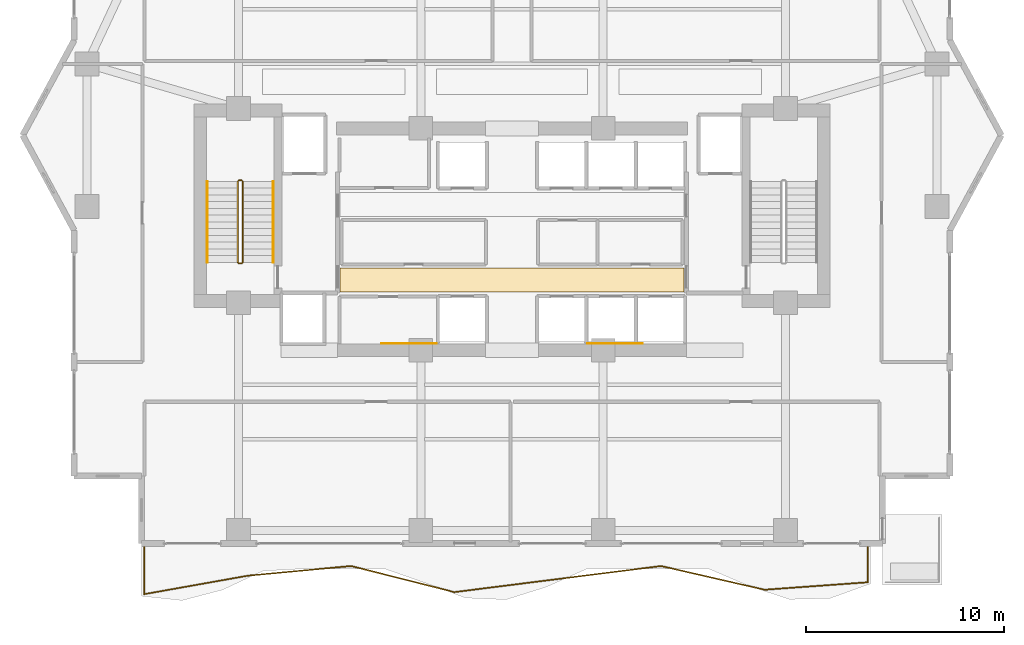
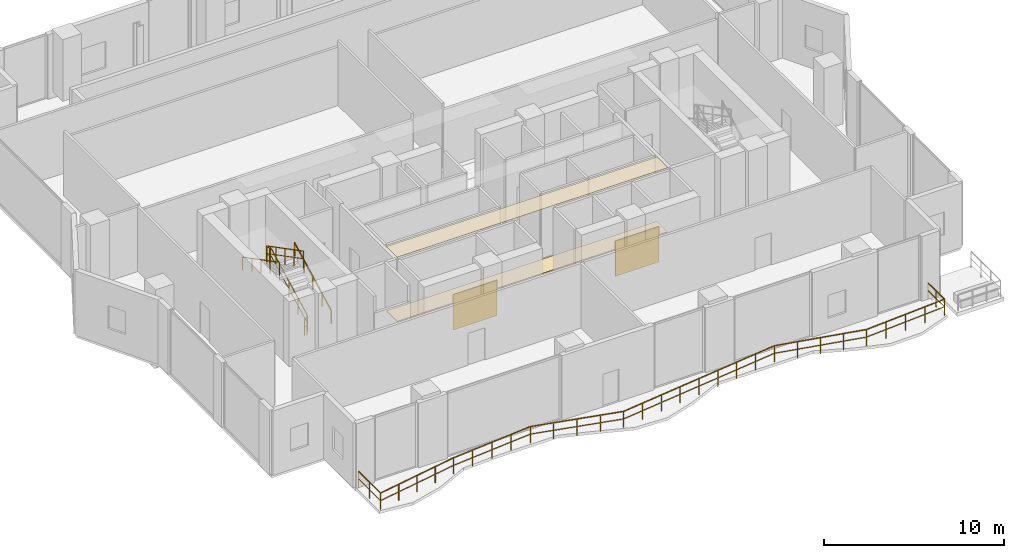
# One storey, part 30 of 33: 7 railings, 4 coverings.
"""IFC4 building model written with IfcOpenShell, lengths in metres."""

from ifc_helpers import new_model, si_unit, direction, frame, origin, origin_2d, place, context, subcontext, project, spatial, polyline, rectangle, outline, extrude, material, layer, layer_set, type_object, element, save


model = new_model("IFC4")

# Units and contexts
model_context = context("Model", 3, precision=1e-05, world=origin(), true_north=direction((0.0, 1.0)))
body_context = subcontext(model_context, "Body", "Model", "MODEL_VIEW")
ifc_project = project(units=[si_unit("LENGTHUNIT", "METRE"), si_unit("AREAUNIT", "SQUARE_METRE"), si_unit("VOLUMEUNIT", "CUBIC_METRE"), si_unit("PLANEANGLEUNIT", "RADIAN"), si_unit("MASSUNIT", "GRAM", prefix="KILO")], contexts=[model_context])

# Site, building, storey
site_placement = place(None, origin())
site = spatial("IfcSite", under=ifc_project, at=site_placement, CompositionType="ELEMENT")
building_placement = place(site_placement, origin())
building = spatial("IfcBuilding", under=site, at=building_placement, Name="Zuhayl Quay Hotel", CompositionType="ELEMENT")
storey_placement = place(building_placement, frame((0.0, 0.0, 168.199951171875)))
storey = spatial("IfcBuildingStorey", under=building, at=storey_placement, Name="L42", CompositionType="ELEMENT", Elevation=168.199951171875)

# Coverings
ifc_material_1 = material(Name="Acoustic Mineral-Fibre Gypsum Board")
ifc_layer_1 = layer(ifc_material_1, 0.02490234375, Name="Acoustic Mineral-Fibre Gypsum Board")
ifc_layer_set_1 = layer_set([ifc_layer_1], Name="Acoustic Mineral-Fibre Gypsum Board")
covering_type_1 = type_object("IfcCoveringType", Name="CV_CEIL_ACOUSTIC", PredefinedType="CEILING", material=ifc_layer_set_1)
covering_1_placement = place(storey_placement, frame((0.0, 0.0, 4.35498046875)))
element("IfcCovering", 1, at=covering_1_placement, inside=storey, type_object=covering_type_1, Name="L42 Suspended Acoustic Lobby Ceiling S", PredefinedType="CEILING", context=body_context, shape_type="SweptSolid", body=[
    extrude(outline(polyline([(-8.679931640625, 5.10009765625), (8.679931640625, 5.10009765625), (8.679931640625, 6.300048828125), (-8.679931640625, 6.300048828125), (-8.679931640625, 5.10009765625)])), origin(), (0.0, 0.0, 1.0), 0.025146484375),
])
ifc_material_2 = material(Name="Polished Limestone Terrazzo", Category="masonry")
ifc_layer_2 = layer(ifc_material_2, 0.02001953125, Name="Polished Limestone Terrazzo", Category="masonry")
ifc_layer_set_2 = layer_set([ifc_layer_2], Name="Polished Limestone Terrazzo")
covering_type_2 = type_object("IfcCoveringType", Name="CV_FLOOR_TERRAZZO", PredefinedType="FLOORING", material=ifc_layer_set_2)
covering_2_placement = place(storey_placement, origin())
element("IfcCovering", 2, at=covering_2_placement, inside=storey, type_object=covering_type_2, Name="L42 Honed Limestone Terrazzo Lobby Flooring S", PredefinedType="FLOORING", context=body_context, shape_type="SweptSolid", body=[
    extrude(outline(polyline([(-8.679931640625, 5.10009765625), (8.679931640625, 5.10009765625), (8.679931640625, 6.300048828125), (-8.679931640625, 6.300048828125), (-8.679931640625, 5.10009765625)])), origin(), (0.0, 0.0, 1.0), 0.02001953125),
])
ifc_material_3 = material(Name="Acoustic Walnut Feature Timber", Category="wood")
ifc_layer_3 = layer(ifc_material_3, 0.02197265625, Name="Acoustic Walnut Feature Timber", Category="wood")
ifc_layer_set_3 = layer_set([ifc_layer_3], Name="Acoustic Walnut Feature Timber")
covering_type_3 = type_object("IfcCoveringType", Name="CV_WALL_CLAD", PredefinedType="CLADDING", material=ifc_layer_set_3)
for number, where, z_axis, x_axis, name in (
    (3, (-5.199951171875, 2.486083984375, 0.300048828125), (0.0, 0.0, 1.0), (1.0, 0.0, 0.0), "L42 Feature Lobby Walnut Wall Cladding W"),
    (4, (5.199951171875, 2.486083984375, 0.300048828125), (0.0, 0.0, 1.0), (1.0, 0.0, 0.0), "L42 Feature Lobby Walnut Wall Cladding E"),
):
    element("IfcCovering", number, at=place(storey_placement, frame(where, z_axis=z_axis, x_axis=x_axis)), inside=storey, type_object=covering_type_3, Name=name, PredefinedType="CLADDING", context=body_context, shape_type="SweptSolid", body=[
        extrude(rectangle(XDim=2.800048828125, YDim=0.02197265625, at=origin_2d()), origin(), (0.0, 0.0, 1.0), 2.39990234375),
    ])

# Railings
ifc_material_4 = material(Name="Anodised Aluminium and Laminated Glass", Category="aluminium")
railing_type_1 = type_object("IfcRailingType", Name="RL_EXT_BAL_1100", PredefinedType="BALUSTRADE", material=ifc_material_4)
railing_1_placement = place(storey_placement, frame((-18.56005859375, -7.719970703125, 0.0)))
element("IfcRailing", 5, at=railing_1_placement, inside=storey, type_object=railing_type_1, Name="L42 Balcony and Terrace Guard GR_L42_BAL_S", PredefinedType="BALUSTRADE", context=body_context, shape_type="SweptSolid", body=[
    extrude(rectangle(XDim=0.048095703125, YDim=0.048095703125, at=origin_2d()), frame((0.0, 0.0, 1.09619140625), z_axis=(0.0, -1.0, 0.0), x_axis=(1.0, 0.0, 0.0)), (0.0, 0.0, 1.0), 2.440185546875),
    extrude(rectangle(XDim=0.0361328125, YDim=0.0361328125, at=origin_2d()), frame((0.0, 0.0, 0.58251953125), z_axis=(0.0, -1.0, 0.0), x_axis=(1.0, 0.0, 0.0)), (0.0, 0.0, 1.0), 2.440185546875),
    extrude(rectangle(XDim=0.048095703125, YDim=0.048095703125, at=origin_2d()), frame((0.0, -2.440185546875, 1.09619140625), z_axis=(0.98444266238, 0.175706131046, 0.0), x_axis=(-0.175706131046, 0.98444266238, 0.0)), (0.0, 0.0, 1.0), 5.299560546875),
    extrude(rectangle(XDim=0.0361328125, YDim=0.0361328125, at=origin_2d()), frame((0.0, -2.440185546875, 0.58251953125), z_axis=(0.98444266238, 0.175706131046, 0.0), x_axis=(-0.175706131046, 0.98444266238, 0.0)), (0.0, 0.0, 1.0), 5.299560546875),
    extrude(rectangle(XDim=0.048095703125, YDim=0.048095703125, at=origin_2d()), frame((5.217041015625, -1.509033203125, 1.09619140625), z_axis=(0.995636120138, 0.093320502978, 0.0), x_axis=(-0.093320502978, 0.995636120138, 0.0)), (0.0, 0.0, 1.0), 5.240234375),
    extrude(rectangle(XDim=0.0361328125, YDim=0.0361328125, at=origin_2d()), frame((5.217041015625, -1.509033203125, 0.58251953125), z_axis=(0.995636120138, 0.093320502978, 0.0), x_axis=(-0.093320502978, 0.995636120138, 0.0)), (0.0, 0.0, 1.0), 5.240234375),
    extrude(rectangle(XDim=0.048095703125, YDim=0.048095703125, at=origin_2d()), frame((10.434326171875, -1.02001953125, 1.09619140625), z_axis=(0.969544411297, -0.244915566109, 0.0), x_axis=(0.244915566109, 0.969544411297, 0.0)), (0.0, 0.0, 1.0), 5.380859375),
    extrude(rectangle(XDim=0.0361328125, YDim=0.0361328125, at=origin_2d()), frame((10.434326171875, -1.02001953125, 0.58251953125), z_axis=(0.969544411297, -0.244915566109, 0.0), x_axis=(0.244915566109, 0.969544411297, 0.0)), (0.0, 0.0, 1.0), 5.380859375),
    extrude(rectangle(XDim=0.048095703125, YDim=0.048095703125, at=origin_2d()), frame((15.6513671875, -2.337890625, 1.09619140625), z_axis=(0.992089621396, 0.125531602071, 0.0), x_axis=(-0.125531602071, 0.992089621396, 0.0)), (0.0, 0.0, 1.0), 5.2587890625),
    extrude(rectangle(XDim=0.0361328125, YDim=0.0361328125, at=origin_2d()), frame((15.6513671875, -2.337890625, 0.58251953125), z_axis=(0.992089621396, 0.125531602071, 0.0), x_axis=(-0.125531602071, 0.992089621396, 0.0)), (0.0, 0.0, 1.0), 5.2587890625),
    extrude(rectangle(XDim=0.048095703125, YDim=0.048095703125, at=origin_2d()), frame((20.86865234375, -1.677734375, 1.09619140625), z_axis=(0.992146609492, 0.125080395244, 0.0), x_axis=(-0.125080395244, 0.992146609492, 0.0)), (0.0, 0.0, 1.0), 5.25830078125),
    extrude(rectangle(XDim=0.0361328125, YDim=0.0361328125, at=origin_2d()), frame((20.86865234375, -1.677734375, 0.58251953125), z_axis=(0.992146609492, 0.125080395244, 0.0), x_axis=(-0.125080395244, 0.992146609492, 0.0)), (0.0, 0.0, 1.0), 5.25830078125),
    extrude(rectangle(XDim=0.048095703125, YDim=0.048095703125, at=origin_2d()), frame((26.085693359375, -1.02001953125, 1.09619140625), z_axis=(0.974645768706, -0.223753492806, 0.0), x_axis=(0.223753492806, 0.974645768706, 0.0)), (0.0, 0.0, 1.0), 5.35302734375),
    extrude(rectangle(XDim=0.0361328125, YDim=0.0361328125, at=origin_2d()), frame((26.085693359375, -1.02001953125, 0.58251953125), z_axis=(0.974645768706, -0.223753492806, 0.0), x_axis=(0.223753492806, 0.974645768706, 0.0)), (0.0, 0.0, 1.0), 5.35302734375),
    extrude(rectangle(XDim=0.048095703125, YDim=0.048095703125, at=origin_2d()), frame((31.302978515625, -2.2177734375, 1.09619140625), z_axis=(0.997403195684, 0.072019894751, 0.0), x_axis=(-0.072019894751, 0.997403195684, 0.0)), (0.0, 0.0, 1.0), 5.230712890625),
    extrude(rectangle(XDim=0.0361328125, YDim=0.0361328125, at=origin_2d()), frame((31.302978515625, -2.2177734375, 0.58251953125), z_axis=(0.997403195684, 0.072019894751, 0.0), x_axis=(-0.072019894751, 0.997403195684, 0.0)), (0.0, 0.0, 1.0), 5.230712890625),
    extrude(rectangle(XDim=0.048095703125, YDim=0.048095703125, at=origin_2d()), frame((36.52001953125, -1.841064453125, 1.09619140625), z_axis=(0.0, 1.0, 0.0), x_axis=(-1.0, 0.0, 0.0)), (0.0, 0.0, 1.0), 1.841064453125),
    extrude(rectangle(XDim=0.0361328125, YDim=0.0361328125, at=origin_2d()), frame((36.52001953125, -1.841064453125, 0.58251953125), z_axis=(0.0, 1.0, 0.0), x_axis=(-1.0, 0.0, 0.0)), (0.0, 0.0, 1.0), 1.841064453125),
    extrude(rectangle(XDim=0.0419921875, YDim=0.0419921875, at=origin_2d()), origin(), (0.0, 0.0, 1.0), 1.072021484375),
    extrude(rectangle(XDim=0.0419921875, YDim=0.0419921875, at=origin_2d()), frame((0.0, -1.22021484375, 0.0)), (0.0, 0.0, 1.0), 1.072021484375),
    extrude(rectangle(XDim=0.0419921875, YDim=0.0419921875, at=origin_2d()), frame((0.0, -2.440185546875, 0.0)), (0.0, 0.0, 1.0), 1.072021484375),
    extrude(rectangle(XDim=0.0419921875, YDim=0.0419921875, at=origin_2d()), frame((1.30419921875, -2.20751953125, 0.0)), (0.0, 0.0, 1.0), 1.072021484375),
    extrude(rectangle(XDim=0.0419921875, YDim=0.0419921875, at=origin_2d()), frame((2.6083984375, -1.974609375, 0.0)), (0.0, 0.0, 1.0), 1.072021484375),
    extrude(rectangle(XDim=0.0419921875, YDim=0.0419921875, at=origin_2d()), frame((3.912841796875, -1.74169921875, 0.0)), (0.0, 0.0, 1.0), 1.072021484375),
    extrude(rectangle(XDim=0.0419921875, YDim=0.0419921875, at=origin_2d()), frame((5.217041015625, -1.509033203125, 0.0)), (0.0, 0.0, 1.0), 1.072021484375),
    extrude(rectangle(XDim=0.0419921875, YDim=0.0419921875, at=origin_2d()), frame((6.521484375, -1.38671875, 0.0)), (0.0, 0.0, 1.0), 1.072021484375),
    extrude(rectangle(XDim=0.0419921875, YDim=0.0419921875, at=origin_2d()), frame((7.82568359375, -1.2646484375, 0.0)), (0.0, 0.0, 1.0), 1.072021484375),
    extrude(rectangle(XDim=0.0419921875, YDim=0.0419921875, at=origin_2d()), frame((9.1298828125, -1.142333984375, 0.0)), (0.0, 0.0, 1.0), 1.072021484375),
    extrude(rectangle(XDim=0.0419921875, YDim=0.0419921875, at=origin_2d()), frame((10.434326171875, -1.02001953125, 0.0)), (0.0, 0.0, 1.0), 1.072021484375),
    extrude(rectangle(XDim=0.0419921875, YDim=0.0419921875, at=origin_2d()), frame((11.738525390625, -1.349609375, 0.0)), (0.0, 0.0, 1.0), 1.072021484375),
    extrude(rectangle(XDim=0.0419921875, YDim=0.0419921875, at=origin_2d()), frame((13.04296875, -1.678955078125, 0.0)), (0.0, 0.0, 1.0), 1.072021484375),
    extrude(rectangle(XDim=0.0419921875, YDim=0.0419921875, at=origin_2d()), frame((14.34716796875, -2.00830078125, 0.0)), (0.0, 0.0, 1.0), 1.072021484375),
    extrude(rectangle(XDim=0.0419921875, YDim=0.0419921875, at=origin_2d()), frame((15.6513671875, -2.337890625, 0.0)), (0.0, 0.0, 1.0), 1.072021484375),
    extrude(rectangle(XDim=0.0419921875, YDim=0.0419921875, at=origin_2d()), frame((16.95556640625, -2.1728515625, 0.0)), (0.0, 0.0, 1.0), 1.072021484375),
    extrude(rectangle(XDim=0.0419921875, YDim=0.0419921875, at=origin_2d()), frame((18.260009765625, -2.0078125, 0.0)), (0.0, 0.0, 1.0), 1.072021484375),
    extrude(rectangle(XDim=0.0419921875, YDim=0.0419921875, at=origin_2d()), frame((19.564453125, -1.8427734375, 0.0)), (0.0, 0.0, 1.0), 1.072021484375),
    extrude(rectangle(XDim=0.0419921875, YDim=0.0419921875, at=origin_2d()), frame((20.86865234375, -1.677734375, 0.0)), (0.0, 0.0, 1.0), 1.072021484375),
    extrude(rectangle(XDim=0.0419921875, YDim=0.0419921875, at=origin_2d()), frame((22.1728515625, -1.51318359375, 0.0)), (0.0, 0.0, 1.0), 1.072021484375),
    extrude(rectangle(XDim=0.0419921875, YDim=0.0419921875, at=origin_2d()), frame((23.47705078125, -1.348876953125, 0.0)), (0.0, 0.0, 1.0), 1.072021484375),
    extrude(rectangle(XDim=0.0419921875, YDim=0.0419921875, at=origin_2d()), frame((24.781494140625, -1.1845703125, 0.0)), (0.0, 0.0, 1.0), 1.072021484375),
    extrude(rectangle(XDim=0.0419921875, YDim=0.0419921875, at=origin_2d()), frame((26.085693359375, -1.02001953125, 0.0)), (0.0, 0.0, 1.0), 1.072021484375),
    extrude(rectangle(XDim=0.0419921875, YDim=0.0419921875, at=origin_2d()), frame((27.39013671875, -1.3193359375, 0.0)), (0.0, 0.0, 1.0), 1.072021484375),
    extrude(rectangle(XDim=0.0419921875, YDim=0.0419921875, at=origin_2d()), frame((28.6943359375, -1.618896484375, 0.0)), (0.0, 0.0, 1.0), 1.072021484375),
    extrude(rectangle(XDim=0.0419921875, YDim=0.0419921875, at=origin_2d()), frame((29.99853515625, -1.91845703125, 0.0)), (0.0, 0.0, 1.0), 1.072021484375),
    extrude(rectangle(XDim=0.0419921875, YDim=0.0419921875, at=origin_2d()), frame((31.302978515625, -2.2177734375, 0.0)), (0.0, 0.0, 1.0), 1.072021484375),
    extrude(rectangle(XDim=0.0419921875, YDim=0.0419921875, at=origin_2d()), frame((32.607177734375, -2.12353515625, 0.0)), (0.0, 0.0, 1.0), 1.072021484375),
    extrude(rectangle(XDim=0.0419921875, YDim=0.0419921875, at=origin_2d()), frame((33.91162109375, -2.029296875, 0.0)), (0.0, 0.0, 1.0), 1.072021484375),
    extrude(rectangle(XDim=0.0419921875, YDim=0.0419921875, at=origin_2d()), frame((35.2158203125, -1.935302734375, 0.0)), (0.0, 0.0, 1.0), 1.072021484375),
    extrude(rectangle(XDim=0.0419921875, YDim=0.0419921875, at=origin_2d()), frame((36.52001953125, -1.841064453125, 0.0)), (0.0, 0.0, 1.0), 1.072021484375),
    extrude(rectangle(XDim=0.0419921875, YDim=0.0419921875, at=origin_2d()), frame((36.52001953125, -0.92041015625, 0.0)), (0.0, 0.0, 1.0), 1.072021484375),
    extrude(rectangle(XDim=0.0419921875, YDim=0.0419921875, at=origin_2d()), frame((36.52001953125, 0.0, 0.0)), (0.0, 0.0, 1.0), 1.072021484375),
])
ifc_material_5 = material(Name="Steel ASTM A992 Grade 50", Category="steel")
railing_type_2 = type_object("IfcRailingType", Name="RL_GUARD_1100", PredefinedType="GUARDRAIL", material=ifc_material_5)
railing_2_placement = place(storey_placement, frame((-13.590087890625, 6.590087890625, 0.177001953125)))
element("IfcRailing", 6, at=railing_2_placement, inside=storey, type_object=railing_type_2, Name="L42 ST1 stair guard 1", PredefinedType="GUARDRAIL", context=body_context, shape_type="SweptSolid", body=[
    extrude(rectangle(XDim=0.048095703125, YDim=0.048095703125, at=origin_2d()), frame((0.0, 0.0, 1.09619140625), z_axis=(0.0, 0.887080309456, 0.461615126026), x_axis=(-1.0, 0.0, 0.0)), (0.0, 0.0, 1.0), 4.59912109375),
    extrude(rectangle(XDim=0.0361328125, YDim=0.0361328125, at=origin_2d()), frame((0.0, 0.0, 0.58251953125), z_axis=(0.0, 0.887080309456, 0.461615126026), x_axis=(-1.0, 0.0, 0.0)), (0.0, 0.0, 1.0), 4.59912109375),
    extrude(rectangle(XDim=0.0419921875, YDim=0.0419921875, at=origin_2d()), origin(), (0.0, 0.0, 1.0), 1.072021484375),
    extrude(rectangle(XDim=0.0419921875, YDim=0.0419921875, at=origin_2d()), frame((0.0, 1.02001953125, 0.53076171875)), (0.0, 0.0, 1.0), 1.072021484375),
    extrude(rectangle(XDim=0.0419921875, YDim=0.0419921875, at=origin_2d()), frame((0.0, 2.0400390625, 1.0615234375)), (0.0, 0.0, 1.0), 1.072021484375),
    extrude(rectangle(XDim=0.0419921875, YDim=0.0419921875, at=origin_2d()), frame((0.0, 3.059814453125, 1.59228515625)), (0.0, 0.0, 1.0), 1.072021484375),
    extrude(rectangle(XDim=0.0419921875, YDim=0.0419921875, at=origin_2d()), frame((0.0, 4.079833984375, 2.123046875)), (0.0, 0.0, 1.0), 1.072021484375),
])
railing_3_placement = place(storey_placement, frame((-13.639892578125, 10.719970703125, 2.300048828125)))
element("IfcRailing", 7, at=railing_3_placement, inside=storey, type_object=railing_type_2, Name="L42 ST1 stair guard 2", PredefinedType="GUARDRAIL", context=body_context, shape_type="SweptSolid", body=[
    extrude(rectangle(XDim=0.048095703125, YDim=0.048095703125, at=origin_2d()), frame((0.0, 0.0, 1.09619140625), z_axis=(-1.0, 0.0, 0.0), x_axis=(0.0, -1.0, 0.0)), (0.0, 0.0, 1.0), 0.150146484375),
    extrude(rectangle(XDim=0.0361328125, YDim=0.0361328125, at=origin_2d()), frame((0.0, 0.0, 0.58251953125), z_axis=(-1.0, 0.0, 0.0), x_axis=(0.0, -1.0, 0.0)), (0.0, 0.0, 1.0), 0.150146484375),
    extrude(rectangle(XDim=0.0419921875, YDim=0.0419921875, at=origin_2d()), origin(), (0.0, 0.0, 1.0), 1.072021484375),
    extrude(rectangle(XDim=0.0419921875, YDim=0.0419921875, at=origin_2d()), frame((-0.150146484375, 0.0, 0.0)), (0.0, 0.0, 1.0), 1.072021484375),
])
railing_4_placement = place(storey_placement, frame((-13.840087890625, 10.669921875, 2.47705078125)))
element("IfcRailing", 8, at=railing_4_placement, inside=storey, type_object=railing_type_2, Name="L42 ST1 stair guard 3", PredefinedType="GUARDRAIL", context=body_context, shape_type="SweptSolid", body=[
    extrude(rectangle(XDim=0.048095703125, YDim=0.048095703125, at=origin_2d()), frame((0.0, 0.0, 1.09619140625), z_axis=(0.0, -0.887080309456, 0.461615126026), x_axis=(1.0, 0.0, 0.0)), (0.0, 0.0, 1.0), 4.59912109375),
    extrude(rectangle(XDim=0.0361328125, YDim=0.0361328125, at=origin_2d()), frame((0.0, 0.0, 0.58251953125), z_axis=(0.0, -0.887080309456, 0.461615126026), x_axis=(1.0, 0.0, 0.0)), (0.0, 0.0, 1.0), 4.59912109375),
    extrude(rectangle(XDim=0.0419921875, YDim=0.0419921875, at=origin_2d()), origin(), (0.0, 0.0, 1.0), 1.072021484375),
    extrude(rectangle(XDim=0.0419921875, YDim=0.0419921875, at=origin_2d()), frame((0.0, -1.02001953125, 0.53076171875)), (0.0, 0.0, 1.0), 1.072021484375),
    extrude(rectangle(XDim=0.0419921875, YDim=0.0419921875, at=origin_2d()), frame((0.0, -2.0400390625, 1.0615234375)), (0.0, 0.0, 1.0), 1.072021484375),
    extrude(rectangle(XDim=0.0419921875, YDim=0.0419921875, at=origin_2d()), frame((0.0, -3.059814453125, 1.59228515625)), (0.0, 0.0, 1.0), 1.072021484375),
    extrude(rectangle(XDim=0.0419921875, YDim=0.0419921875, at=origin_2d()), frame((0.0, -4.079833984375, 2.123046875)), (0.0, 0.0, 1.0), 1.072021484375),
])
railing_5_placement = place(storey_placement, frame((-13.639892578125, 6.5400390625, 0.0)))
element("IfcRailing", 9, at=railing_5_placement, inside=storey, type_object=railing_type_2, Name="L42 ST1 stair guard 4", PredefinedType="GUARDRAIL", context=body_context, shape_type="SweptSolid", body=[
    extrude(rectangle(XDim=0.048095703125, YDim=0.048095703125, at=origin_2d()), frame((0.0, 0.0, 1.09619140625), z_axis=(-1.0, 0.0, 0.0), x_axis=(0.0, -1.0, 0.0)), (0.0, 0.0, 1.0), 0.150146484375),
    extrude(rectangle(XDim=0.0361328125, YDim=0.0361328125, at=origin_2d()), frame((0.0, 0.0, 0.58251953125), z_axis=(-1.0, 0.0, 0.0), x_axis=(0.0, -1.0, 0.0)), (0.0, 0.0, 1.0), 0.150146484375),
    extrude(rectangle(XDim=0.0419921875, YDim=0.0419921875, at=origin_2d()), origin(), (0.0, 0.0, 1.0), 1.072021484375),
    extrude(rectangle(XDim=0.0419921875, YDim=0.0419921875, at=origin_2d()), frame((-0.150146484375, 0.0, 0.0)), (0.0, 0.0, 1.0), 1.072021484375),
])
railing_type_3 = type_object("IfcRailingType", Name="RL_HANDRAIL_920", PredefinedType="HANDRAIL", material=ifc_material_5)
railing_6_placement = place(storey_placement, frame((-12.050048828125, 6.590087890625, 0.177001953125)))
element("IfcRailing", 10, at=railing_6_placement, inside=storey, type_object=railing_type_3, Name="L42 ST1 stair handrail 1", PredefinedType="HANDRAIL", context=body_context, shape_type="SweptSolid", body=[
    extrude(rectangle(XDim=0.048095703125, YDim=0.048095703125, at=origin_2d()), frame((0.0, 0.0, 0.8759765625), z_axis=(0.0, 0.887080309456, 0.461615126026), x_axis=(-1.0, 0.0, 0.0)), (0.0, 0.0, 1.0), 4.59912109375),
    extrude(rectangle(XDim=0.0419921875, YDim=0.0419921875, at=origin_2d()), origin(), (0.0, 0.0, 1.0), 0.851806640625),
    extrude(rectangle(XDim=0.0419921875, YDim=0.0419921875, at=origin_2d()), frame((0.0, 1.02001953125, 0.53076171875)), (0.0, 0.0, 1.0), 0.851806640625),
    extrude(rectangle(XDim=0.0419921875, YDim=0.0419921875, at=origin_2d()), frame((0.0, 2.0400390625, 1.0615234375)), (0.0, 0.0, 1.0), 0.851806640625),
    extrude(rectangle(XDim=0.0419921875, YDim=0.0419921875, at=origin_2d()), frame((0.0, 3.059814453125, 1.59228515625)), (0.0, 0.0, 1.0), 0.851806640625),
    extrude(rectangle(XDim=0.0419921875, YDim=0.0419921875, at=origin_2d()), frame((0.0, 4.079833984375, 2.123046875)), (0.0, 0.0, 1.0), 0.851806640625),
])
railing_7_placement = place(storey_placement, frame((-15.3798828125, 10.669921875, 2.47705078125)))
element("IfcRailing", 11, at=railing_7_placement, inside=storey, type_object=railing_type_3, Name="L42 ST1 stair handrail 2", PredefinedType="HANDRAIL", context=body_context, shape_type="SweptSolid", body=[
    extrude(rectangle(XDim=0.048095703125, YDim=0.048095703125, at=origin_2d()), frame((0.0, 0.0, 0.8759765625), z_axis=(0.0, -0.887080309456, 0.461615126026), x_axis=(1.0, 0.0, 0.0)), (0.0, 0.0, 1.0), 4.59912109375),
    extrude(rectangle(XDim=0.0419921875, YDim=0.0419921875, at=origin_2d()), origin(), (0.0, 0.0, 1.0), 0.851806640625),
    extrude(rectangle(XDim=0.0419921875, YDim=0.0419921875, at=origin_2d()), frame((0.0, -1.02001953125, 0.53076171875)), (0.0, 0.0, 1.0), 0.851806640625),
    extrude(rectangle(XDim=0.0419921875, YDim=0.0419921875, at=origin_2d()), frame((0.0, -2.0400390625, 1.0615234375)), (0.0, 0.0, 1.0), 0.851806640625),
    extrude(rectangle(XDim=0.0419921875, YDim=0.0419921875, at=origin_2d()), frame((0.0, -3.059814453125, 1.59228515625)), (0.0, 0.0, 1.0), 0.851806640625),
    extrude(rectangle(XDim=0.0419921875, YDim=0.0419921875, at=origin_2d()), frame((0.0, -4.079833984375, 2.123046875)), (0.0, 0.0, 1.0), 0.851806640625),
])

save(model, "model.ifc")
